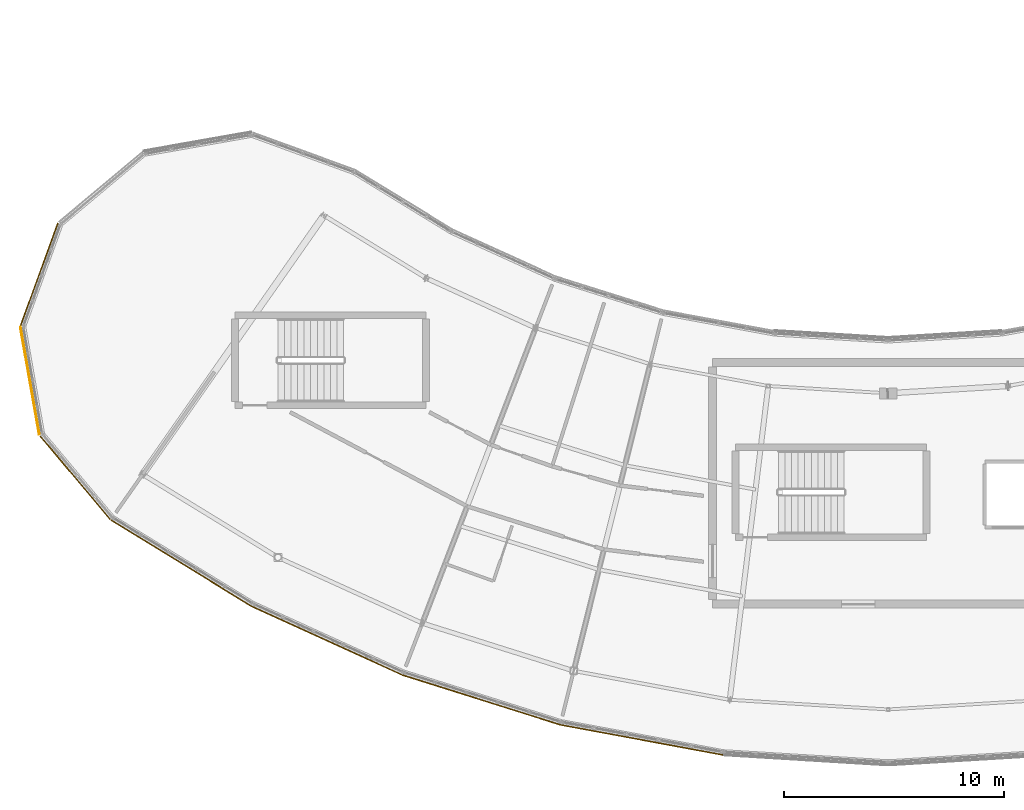
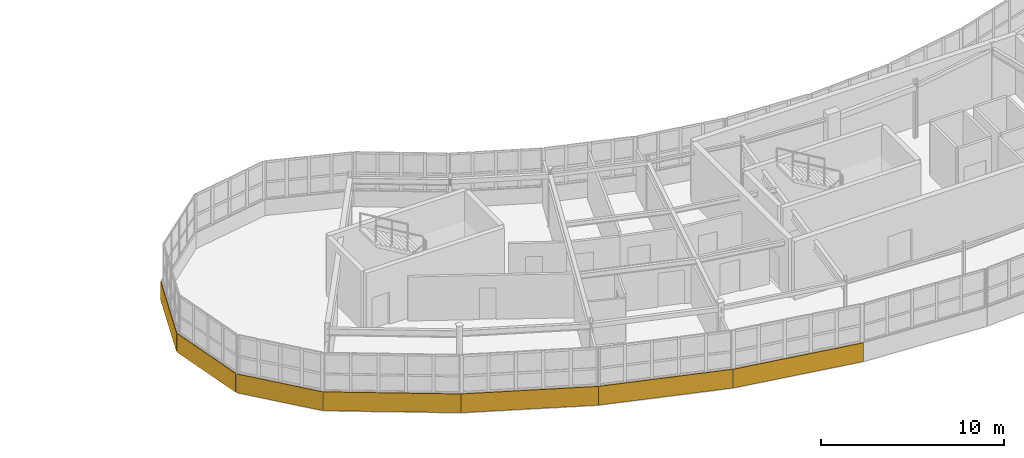
# One storey, part 58 of 65: 7 coverings.
"""IFC4 building model written with IfcOpenShell, lengths in metres."""

import ifcopenshell
import ifcopenshell.guid

model = None  # the IFC model being written
_history = None  # IfcOwnerHistory: only IFC2X3 demands one
_inside = {}  # id of a spatial element -> (the spatial element, [elements in it])
_under = {}  # id of a project, library or spatial element -> (it, [spatial elements below it])
_declared = {}  # id of a project -> (the project, [libraries it declares])
_typed = {}  # id of a type object -> (the type object, [elements of that type])
_made_of = {}  # id of a material, layer set ... -> (it, [elements and type objects made of it])


def new_model(schema):
    """Start an empty IFC model of exactly this schema.

    Asked for "IFC4X3", IfcOpenShell would pick the latest addendum, in which some entities
    have other attributes; the version numbers below select the first issue.
    IFC2X3 requires an IfcOwnerHistory on every rooted entity: one is made here for all.
    """
    global model, _history
    if schema == "IFC4X3":
        model = ifcopenshell.file(schema_version=(4, 3, 0, 0))
    else:
        model = ifcopenshell.file(schema=schema)
    _inside.clear()
    _under.clear()
    _declared.clear()
    _typed.clear()
    _made_of.clear()
    _history = None
    if model.schema == "IFC2X3":
        org = make("IfcOrganization", Name="unknown")
        user = make(
            "IfcPersonAndOrganization",
            ThePerson=make("IfcPerson", FamilyName="unknown"),
            TheOrganization=org,
        )
        app = make(
            "IfcApplication",
            ApplicationDeveloper=org,
            Version="unknown",
            ApplicationFullName="unknown",
            ApplicationIdentifier="unknown",
        )
        _history = make(
            "IfcOwnerHistory",
            OwningUser=user,
            OwningApplication=app,
            ChangeAction="ADDED",
            CreationDate=0,
        )
    return model


def make(cls, **values):
    """One entity of the class cls with the attributes given. An attribute that is None is left unset."""
    return model.create_entity(
        cls, **{name: value for name, value in values.items() if value is not None}
    )


def rooted(cls, **values):
    """An entity with a GlobalId (a new one), such as an element, a storey or a relation."""
    return make(cls, GlobalId=ifcopenshell.guid.new(), OwnerHistory=_history, **values)


def si_unit(unit_type, name, prefix=None):
    """IfcSIUnit, for example si_unit("LENGTHUNIT", "METRE", prefix="MILLI")."""
    return make("IfcSIUnit", UnitType=unit_type, Prefix=prefix, Name=name)


def assignment(units):
    """IfcUnitAssignment: the units of a project."""
    return None if units is None else make("IfcUnitAssignment", Units=units)


def point(xyz):
    """IfcCartesianPoint."""
    return None if xyz is None else make("IfcCartesianPoint", Coordinates=xyz)


def direction(xyz):
    """IfcDirection."""
    return None if xyz is None else make("IfcDirection", DirectionRatios=xyz)


def frame(location, z_axis=None, x_axis=None):
    """IfcAxis2Placement3D, a coordinate frame: its origin and axes. An axis left out is left unset."""
    return make(
        "IfcAxis2Placement3D",
        Location=point(location),
        Axis=direction(z_axis),
        RefDirection=direction(x_axis),
    )


def frame_2d(location, x_axis=None):
    """IfcAxis2Placement2D, a coordinate frame in the plane: its origin and x axis."""
    return make(
        "IfcAxis2Placement2D", Location=point(location), RefDirection=direction(x_axis)
    )


def origin():
    """The frame at (0, 0, 0) with its axes left unset."""
    return frame((0.0, 0.0, 0.0))


def origin_2d():
    """The frame at (0, 0) in the plane with its x axis left unset."""
    return frame_2d((0.0, 0.0))


def place(relative_to, where):
    """IfcLocalPlacement: puts the frame where relative to a parent placement (None: the world)."""
    return make(
        "IfcLocalPlacement", PlacementRelTo=relative_to, RelativePlacement=where
    )


def context(
    kind, dimensions, precision=None, world=None, true_north=None, identifier=None
):
    """IfcGeometricRepresentationContext, for example the 3D "Model" context."""
    return make(
        "IfcGeometricRepresentationContext",
        ContextIdentifier=identifier,
        ContextType=kind,
        CoordinateSpaceDimension=dimensions,
        Precision=precision,
        WorldCoordinateSystem=world,
        TrueNorth=true_north,
    )


def subcontext(parent, identifier, kind, view, scale=None):
    """IfcGeometricRepresentationSubContext, for example "Body" below "Model"."""
    return make(
        "IfcGeometricRepresentationSubContext",
        ContextIdentifier=identifier,
        ContextType=kind,
        ParentContext=parent,
        TargetScale=scale,
        TargetView=view,
    )


def project(units=None, contexts=None):
    """IfcProject with its units and contexts."""
    return rooted(
        "IfcProject",
        Name="project",
        RepresentationContexts=contexts,
        UnitsInContext=assignment(units),
    )


def spatial(cls, under=None, at=None, **own):
    """A site, building, storey or space (cls), placed at a placement, below another one or the project."""
    s = rooted(cls, ObjectPlacement=at, **own)
    if under is not None:
        _under.setdefault(under.id(), (under, []))[1].append(s)
    return s


def profile(cls, at=None, kind="AREA", **sizes):
    """A parametric profile (cls). Its sizes go by their IFC names, for example OverallWidth=200.0."""
    return make(cls, ProfileType=kind, Position=at, **sizes)


def rectangle(**sizes):
    """IfcRectangleProfileDef."""
    return profile("IfcRectangleProfileDef", **sizes)


def extrude(swept, where, along, depth):
    """IfcExtrudedAreaSolid: the profile swept, set in the frame where, extruded along a direction by depth."""
    return make(
        "IfcExtrudedAreaSolid",
        SweptArea=swept,
        Position=where,
        ExtrudedDirection=direction(along),
        Depth=depth,
    )


def shape(context_of_items, identifier, shape_type, items):
    """IfcShapeRepresentation: the items that make up one representation, for example the "Body"."""
    return make(
        "IfcShapeRepresentation",
        ContextOfItems=context_of_items,
        RepresentationIdentifier=identifier,
        RepresentationType=shape_type,
        Items=items,
    )


def material(Name=None, Category=None):
    """IfcMaterial."""
    return make("IfcMaterial", Name=Name, Category=Category)


def layer(
    of_material, thickness, ventilated=None, Name=None, Category=None, Priority=None
):
    """IfcMaterialLayer: one layer of a wall or slab, of a material (None: an air gap)."""
    return make(
        "IfcMaterialLayer",
        Material=of_material,
        LayerThickness=thickness,
        IsVentilated=ventilated,
        Name=Name,
        Category=Category,
        Priority=Priority,
    )


def layer_set(layers, Name=None):
    """IfcMaterialLayerSet."""
    return make("IfcMaterialLayerSet", MaterialLayers=layers, LayerSetName=Name)


def made_of(thing, what):
    """Note that an element or type object is made of a material, layer set ...; save() writes the relation."""
    if what is not None:
        _made_of.setdefault(what.id(), (what, []))[1].append(thing)
    return thing


def type_object(cls, material=None, **own):
    """A type object (cls), such as IfcWallType, which elements share."""
    return made_of(rooted(cls, **own), material)


def element(
    cls,
    number,
    at=None,
    inside=None,
    cuts=None,
    type_object=None,
    material=None,
    context=None,
    identifier="Body",
    shape_type=None,
    held_by="IfcProductDefinitionShape",
    body=None,
    shapes=None,
    **own,
):
    """One element of the class cls, such as IfcWall. Its Tag is "e" and its number.

    at: its placement. inside: the storey or other place that contains it. cuts: it is an
    opening in that element (IfcRelVoidsElement). A single representation is given by context,
    identifier, shape_type and body (its items); several are given by shapes. held_by: the class
    of the entity that holds the representations. save() writes the other relations.
    """
    e = rooted(cls, Tag="e%d" % number, ObjectPlacement=at, **own)
    if body is not None:
        shapes = [shape(context, identifier, shape_type, body)]
    if shapes is not None:
        e.Representation = make(held_by, Representations=shapes)
    if inside is not None:
        _inside.setdefault(inside.id(), (inside, []))[1].append(e)
    if cuts is not None:
        rooted(
            "IfcRelVoidsElement", RelatingBuildingElement=cuts, RelatedOpeningElement=e
        )
    if type_object is not None:
        _typed.setdefault(type_object.id(), (type_object, []))[1].append(e)
    return made_of(e, material)


def aggregate(whole, parts):
    """IfcRelAggregates: a whole, such as a stair, and the parts it consists of."""
    return rooted("IfcRelAggregates", RelatingObject=whole, RelatedObjects=parts)


def save(model, path):
    """Write the relations noted so far, then the file.

    IfcRelAggregates (storeys below a building ...), IfcRelContainedInSpatialStructure (elements
    in a storey), IfcRelDefinesByType, IfcRelAssociatesMaterial and IfcRelDeclares: one each for
    every whole, place, type object, material and project.
    """
    for whole, parts in _under.values():
        aggregate(whole, parts)
    for where, things in _inside.values():
        rooted(
            "IfcRelContainedInSpatialStructure",
            RelatedElements=things,
            RelatingStructure=where,
        )
    for kind, things in _typed.values():
        rooted("IfcRelDefinesByType", RelatedObjects=things, RelatingType=kind)
    for what, things in _made_of.values():
        rooted("IfcRelAssociatesMaterial", RelatedObjects=things, RelatingMaterial=what)
    for by, libraries in _declared.values():
        rooted("IfcRelDeclares", RelatingContext=by, RelatedDefinitions=libraries)
    model.write(path)


model = new_model("IFC4")

# Units and contexts
model_context = context("Model", 3, precision=1e-05, world=origin(), true_north=direction((0.0, 1.0)))
body_context = subcontext(model_context, "Body", "Model", "MODEL_VIEW")
ifc_project = project(units=[si_unit("LENGTHUNIT", "METRE"), si_unit("AREAUNIT", "SQUARE_METRE"), si_unit("VOLUMEUNIT", "CUBIC_METRE"), si_unit("PLANEANGLEUNIT", "RADIAN"), si_unit("MASSUNIT", "GRAM", prefix="KILO")], contexts=[model_context])

# Site, building, storey
site_placement = place(None, origin())
site = spatial("IfcSite", under=ifc_project, at=site_placement, CompositionType="ELEMENT")
building_placement = place(site_placement, origin())
building = spatial("IfcBuilding", under=site, at=building_placement, Name="Tarnwether General Hospital", CompositionType="ELEMENT")
storey_placement = place(building_placement, frame((0.0, 0.0, 22.199951171875)))
storey = spatial("IfcBuildingStorey", under=building, at=storey_placement, Name="L05", CompositionType="ELEMENT", Elevation=22.199951171875)

# Coverings
ifc_material = material(Name="Streamlined white enamelled aluminium", Category="aluminium")
ifc_layer = layer(ifc_material, 0.044921875)
ifc_layer_set = layer_set([ifc_layer], Name="Streamlined white enamelled aluminium")
covering_type = type_object("IfcCoveringType", Name="CV-CLD-WHT", PredefinedType="CLADDING", material=ifc_layer_set)
for number, where, z_axis, x_axis, name in (
    (1, (59.805908203125, 10.4619140625, -0.175048828125), (0.0, 0.0, 1.0), (-0.852631044904, 0.522513446015, 0.0), "Streamlined White Horizontal Band SE L05 01"),
    (2, (66.447998046875, 6.929931640625, -0.175048828125), (0.0, 0.0, 1.0), (-0.909961270877, 0.414693242656, 0.0), "Streamlined White Horizontal Band SE L05 02"),
    (3, (73.471923828125, 4.235107421875, -0.175048828125), (0.0, 0.0, 1.0), (-0.953743188648, 0.300622570855, 0.0), "Streamlined White Horizontal Band SE L05 03"),
    (4, (80.77099609375, 2.4150390625, -0.175048828125), (0.0, 0.0, 1.0), (-0.983245364386, 0.182287008349, 0.0), "Streamlined White Horizontal Band SE L05 04"),
):
    element("IfcCovering", number, at=place(storey_placement, frame(where, z_axis=z_axis, x_axis=x_axis)), inside=storey, type_object=covering_type, Name=name, PredefinedType="CLADDING", context=body_context, shape_type="SweptSolid", body=[
        extrude(rectangle(XDim=7.52099609375, YDim=0.044921875, at=origin_2d()), origin(), (0.0, 0.0, 1.0), 1.25),
    ])
covering_1_placement = place(storey_placement, frame((53.3359375, 23.62109375, -0.175048828125), z_axis=(0.0, 0.0, 1.0), x_axis=(0.341954539571, 0.939716496006, 0.0)))
element("IfcCovering", 5, at=covering_1_placement, inside=storey, type_object=covering_type, Name="Streamlined White Horizontal Band SE L05 26", PredefinedType="CLADDING", context=body_context, shape_type="SweptSolid", body=[
    extrude(rectangle(XDim=4.968017578125, YDim=0.044921875, at=origin_2d()), origin(), (0.0, 0.0, 1.0), 1.25),
])
covering_2_placement = place(storey_placement, frame((52.912109375, 18.77099609375, -0.175048828125), z_axis=(0.0, 0.0, 1.0), x_axis=(-0.173459104952, 0.984841072919, 0.0)))
element("IfcCovering", 6, at=covering_2_placement, inside=storey, type_object=covering_type, Name="Streamlined White Horizontal Band SE L05 27", PredefinedType="CLADDING", context=body_context, shape_type="SweptSolid", body=[
    extrude(rectangle(XDim=4.968994140625, YDim=0.044921875, at=origin_2d()), origin(), (0.0, 0.0, 1.0), 1.25),
])
covering_3_placement = place(storey_placement, frame((54.968994140625, 14.35888671875, -0.175048828125), z_axis=(0.0, 0.0, 1.0), x_axis=(-0.642854457228, 0.765988346401, 0.0)))
element("IfcCovering", 7, at=covering_3_placement, inside=storey, type_object=covering_type, Name="Streamlined White Horizontal Band SE L05 28", PredefinedType="CLADDING", context=body_context, shape_type="SweptSolid", body=[
    extrude(rectangle(XDim=4.969970703125, YDim=0.044921875, at=origin_2d()), origin(), (0.0, 0.0, 1.0), 1.25),
])

save(model, "model.ifc")
